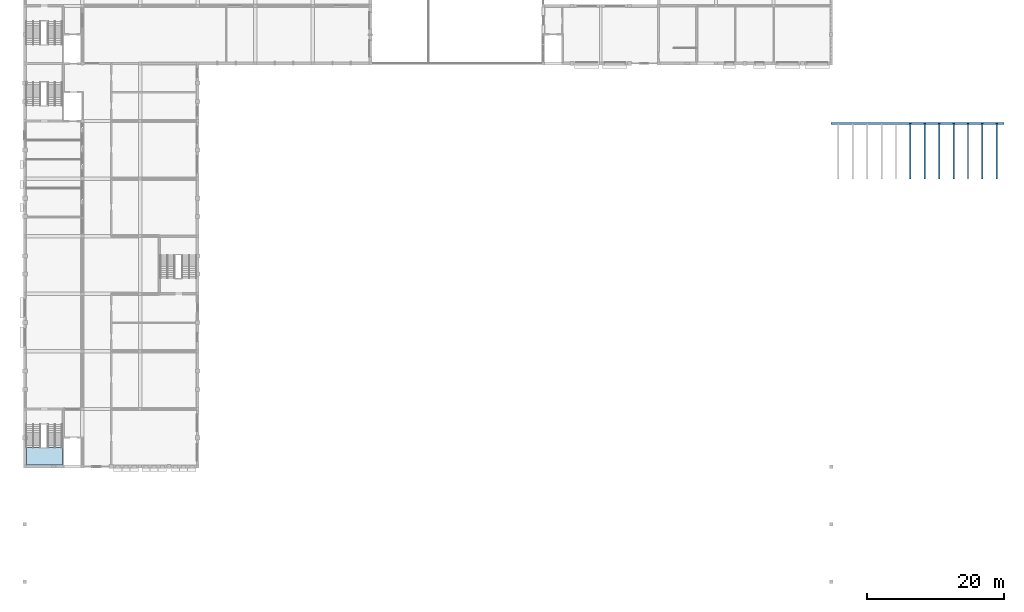
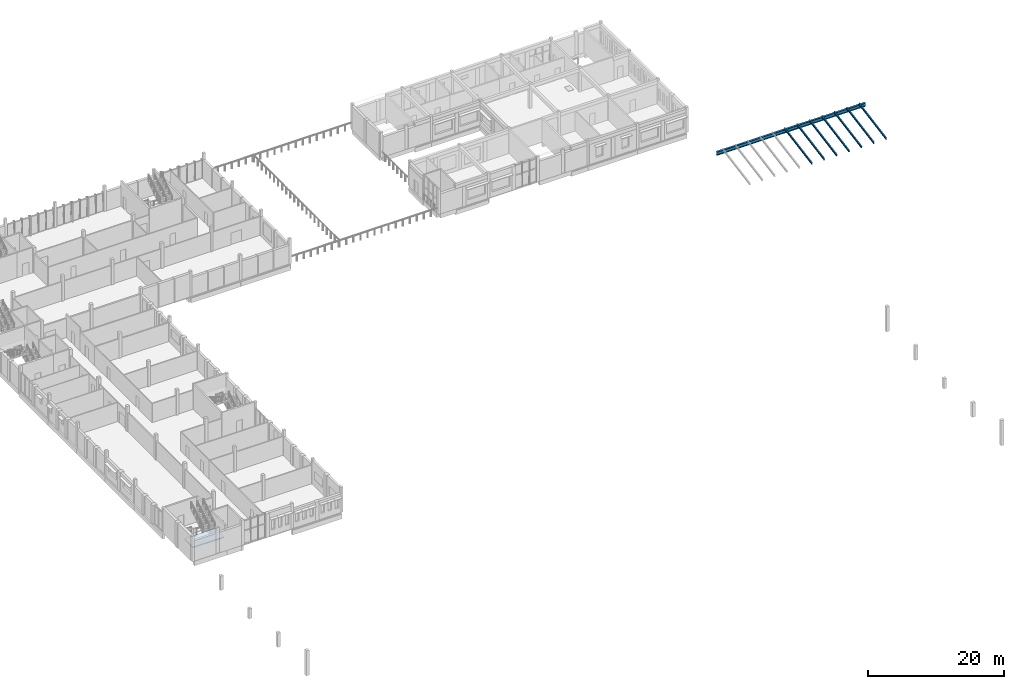
# One storey, part 15 of 30: 7 members, 1 beam, 1 slab, 1 element without a shape of its own.
"""IFC4 building model written with IfcOpenShell, lengths in metres."""

from ifc_helpers import new_model, si_unit, direction, frame, origin, origin_2d, place, context, subcontext, project, spatial, polyline, i_section, outline, extrude, material, layer, layer_set, material_profile, profile_set, type_object, element, aggregate, save


model = new_model("IFC4")

# Units and contexts
model_context = context("Model", 3, precision=1e-05, world=origin(), true_north=direction((0.0, 1.0)))
body_context = subcontext(model_context, "Body", "Model", "MODEL_VIEW")
ifc_project = project(units=[si_unit("LENGTHUNIT", "METRE"), si_unit("AREAUNIT", "SQUARE_METRE"), si_unit("VOLUMEUNIT", "CUBIC_METRE"), si_unit("PLANEANGLEUNIT", "RADIAN"), si_unit("MASSUNIT", "GRAM", prefix="KILO")], contexts=[model_context])

# Site, building, storey
site_placement = place(None, origin())
site = spatial("IfcSite", under=ifc_project, at=site_placement, CompositionType="ELEMENT")
building_placement = place(site_placement, origin())
building = spatial("IfcBuilding", under=site, at=building_placement, Name="Fescue Hill Polytechnic", CompositionType="ELEMENT")
storey_placement = place(building_placement, frame((0.0, 0.0, 22.5)))
storey = spatial("IfcBuildingStorey", under=building, at=storey_placement, Name="L05", CompositionType="ELEMENT", Elevation=22.5)

# Beam
ifc_material_1 = material(Name="Steel 350W (350 MPa)", Category="steel")
ifc_material_profile_1 = material_profile(ifc_material_1, i_section(OverallWidth=0.323974609375, OverallDepth=0.611083984375, WebThickness=0.0126953125, FlangeThickness=0.01904296875, FilletRadius=0.02197265625, at=origin_2d()), Name="W610x155")
ifc_profile_set_1 = profile_set([ifc_material_profile_1], Name="Steel 350W (350 MPa)")
beam_type = type_object("IfcBeamType", Name="Lecture roof girder W610x155", PredefinedType="BEAM", material=ifc_profile_set_1)
beam_placement = place(storey_placement, frame((117.60009765625, 100.449951171875, 1.39306640625), z_axis=(1.0, 0.0, 0.0), x_axis=(0.0, 1.0, 0.0)))
element("IfcBeam", 1, at=beam_placement, inside=storey, type_object=beam_type, Name="Lecture roof girder 6", PredefinedType="BEAM", context=body_context, shape_type="SweptSolid", body=[
    extrude(i_section(OverallWidth=0.323974609375, OverallDepth=0.611083984375, WebThickness=0.0126953125, FlangeThickness=0.01904296875, FilletRadius=0.02197265625, at=origin_2d()), origin(), (0.0, 0.0, 1.0), 25.199951171875),
])

# Members
ifc_material_profile_2 = material_profile(ifc_material_1, i_section(OverallWidth=0.202880859375, OverallDepth=0.302978515625, WebThickness=0.007568359375, FlangeThickness=0.01318359375, FilletRadius=0.02001953125, at=origin_2d()), Name="W310x60")
ifc_profile_set_2 = profile_set([ifc_material_profile_2], Name="Steel 350W (350 MPa)")
member_type = type_object("IfcMemberType", Name="Lecture roof purlin W310x60", PredefinedType="PURLIN", material=ifc_profile_set_2)
for number, where, z_axis, x_axis, name in (
    (2, (129.14990234375, 92.39990234375, 0.414794921875), (0.0, 0.984427760029, 0.175789605163), (-1.0, 0.0, 0.0), "Lecture roof purlin 6 bay 5"),
    (3, (131.25, 92.39990234375, 0.414794921875), (0.0, 0.984427760029, 0.175789605163), (-1.0, 0.0, 0.0), "Lecture roof purlin 7 bay 5"),
    (4, (133.35009765625, 92.39990234375, 0.414794921875), (0.0, 0.984427760029, 0.175789605163), (-1.0, 0.0, 0.0), "Lecture roof purlin 8 bay 5"),
    (5, (135.449951171875, 92.39990234375, 0.414794921875), (0.0, 0.984427760029, 0.175789605163), (-1.0, 0.0, 0.0), "Lecture roof purlin 9 bay 5"),
    (6, (137.550048828125, 92.39990234375, 0.414794921875), (0.0, 0.984427760029, 0.175789605163), (-1.0, 0.0, 0.0), "Lecture roof purlin 10 bay 5"),
    (7, (139.64990234375, 92.39990234375, 0.414794921875), (0.0, 0.984427760029, 0.175789605163), (-1.0, 0.0, 0.0), "Lecture roof purlin 11 bay 5"),
    (8, (141.75, 92.39990234375, 0.414794921875), (0.0, 0.984427760029, 0.175789605163), (-1.0, 0.0, 0.0), "Lecture roof purlin 12 bay 5"),
):
    element("IfcMember", number, at=place(storey_placement, frame(where, z_axis=z_axis, x_axis=x_axis)), inside=storey, type_object=member_type, Name=name, PredefinedType="PURLIN", context=body_context, shape_type="SweptSolid", body=[
        extrude(i_section(OverallWidth=0.202880859375, OverallDepth=0.302978515625, WebThickness=0.007568359375, FlangeThickness=0.01318359375, FilletRadius=0.02001953125, at=origin_2d()), origin(), (0.0, 0.0, 1.0), 8.177490234375),
    ])

# Stair, slab
ifc_material_2 = material(Name="Concrete 35 MPa", Category="concrete")
stair_type = type_object("IfcStairType", Name="Half-turn stair 2150 flights", PredefinedType="HALF_TURN_STAIR", material=ifc_material_2)
stair_placement = place(storey_placement, origin())
stair = element("IfcStair", 9, at=stair_placement, inside=storey, type_object=stair_type, Name="L05 ST-V4-1 stair", PredefinedType="HALF_TURN_STAIR")
ifc_layer = layer(ifc_material_2, 0.199951171875)
ifc_layer_set = layer_set([ifc_layer], Name="Concrete 35 MPa")
slab_type = type_object("IfcSlabType", Name="Stair landing slab 200", PredefinedType="LANDING", material=ifc_layer_set)
slab_placement = place(storey_placement, frame((0.0, 0.0, 2.050048828125)))
slab = element("IfcSlab", 10, at=slab_placement, type_object=slab_type, Name="S15 landing 1", PredefinedType="LANDING", context=body_context, shape_type="SweptSolid", body=[
    extrude(outline(polyline([(0.22509765625, 50.610107421875), (5.5, 50.610107421875), (5.5, 53.1650390625), (0.22509765625, 53.1650390625), (0.22509765625, 50.610107421875)])), origin(), (0.0, 0.0, 1.0), 0.199951171875),
])
aggregate(stair, [slab])

save(model, "model.ifc")
